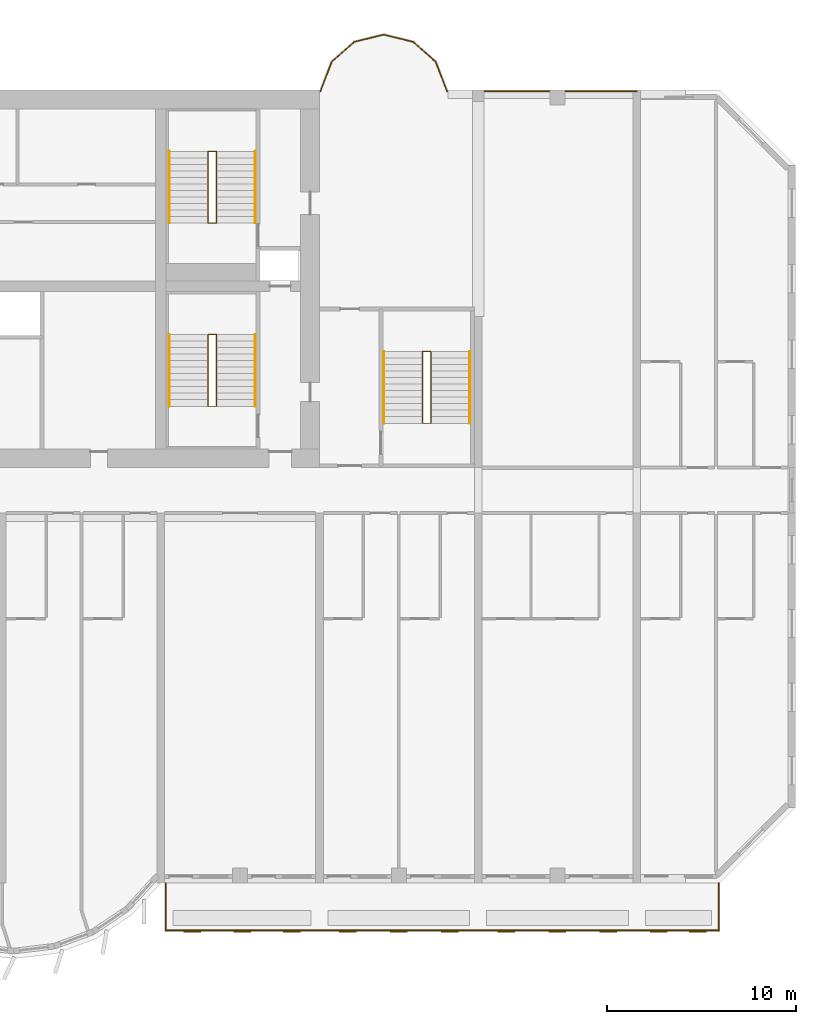
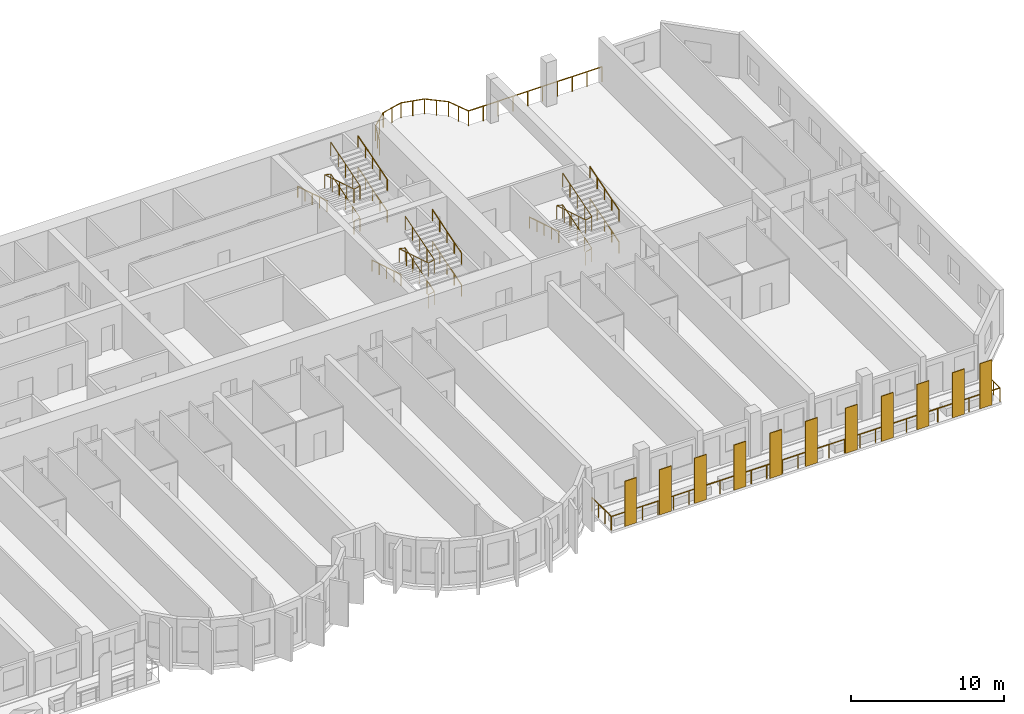
# One storey, part 13 of 14: 14 railings, 11 coverings.
"""IFC4 building model written with IfcOpenShell, lengths in metres."""

from ifc_helpers import new_model, si_unit, direction, frame, origin, origin_2d, place, context, subcontext, project, spatial, rectangle, circle, extrude, source, transform, mapped, material, layer, layer_set, type_object, element, save


model = new_model("IFC4")

# Units and contexts
model_context = context("Model", 3, precision=1e-05, world=origin(), true_north=direction((0.0, 1.0)))
body_context = subcontext(model_context, "Body", "Model", "MODEL_VIEW")
ifc_project = project(units=[si_unit("LENGTHUNIT", "METRE"), si_unit("AREAUNIT", "SQUARE_METRE"), si_unit("VOLUMEUNIT", "CUBIC_METRE"), si_unit("PLANEANGLEUNIT", "RADIAN"), si_unit("MASSUNIT", "GRAM", prefix="KILO")], contexts=[model_context])

# Site, building, storey
site_placement = place(None, origin())
site = spatial("IfcSite", under=ifc_project, at=site_placement, CompositionType="ELEMENT")
building_placement = place(site_placement, origin())
building = spatial("IfcBuilding", under=site, at=building_placement, Name="Vanashikhar Sky Hotel", CompositionType="ELEMENT")
storey_placement = place(building_placement, frame((0.0, 0.0, 73.39990234375)))
storey = spatial("IfcBuildingStorey", under=building, at=storey_placement, Name="L17", CompositionType="ELEMENT", Elevation=73.39990234375)

# Railing
ifc_material_1 = material(Name="Stainless steel 316", Category="steel")
railing_type_1 = type_object("IfcRailingType", Name="Balcony guard 1100", PredefinedType="GUARDRAIL", material=ifc_material_1)
shared_shape_1 = source(origin(), body_context, "Body", "SweptSolid", [
    extrude(circle(Radius=0.02392578125, at=origin_2d()), frame((0.0, 0.0, 1.076171875), z_axis=(0.0, -1.0, 0.0), x_axis=(1.0, 0.0, 0.0)), (0.0, 0.0, 1.0), 2.5),
    extrude(circle(Radius=0.02392578125, at=origin_2d()), frame((0.0, -2.5, 1.076171875), z_axis=(1.0, 0.0, 0.0), x_axis=(0.0, 1.0, 0.0)), (0.0, 0.0, 1.0), 29.280029296875),
    extrude(circle(Radius=0.02392578125, at=origin_2d()), frame((29.280029296875, -2.5, 1.076171875), z_axis=(0.0, 1.0, 0.0), x_axis=(-1.0, 0.0, 0.0)), (0.0, 0.0, 1.0), 2.5),
    extrude(circle(Radius=0.02099609375, at=origin_2d()), origin(), (0.0, 0.0, 1.0), 1.052001953125),
    extrude(circle(Radius=0.02099609375, at=origin_2d()), frame((0.0, -0.833251953125, 0.0)), (0.0, 0.0, 1.0), 1.052001953125),
    extrude(circle(Radius=0.02099609375, at=origin_2d()), frame((0.0, -1.666748046875, 0.0)), (0.0, 0.0, 1.0), 1.052001953125),
    extrude(circle(Radius=0.02099609375, at=origin_2d()), frame((0.0, -2.5, 0.0)), (0.0, 0.0, 1.0), 1.052001953125),
    extrude(circle(Radius=0.02099609375, at=origin_2d()), frame((1.171142578125, -2.5, 0.0)), (0.0, 0.0, 1.0), 1.052001953125),
    extrude(circle(Radius=0.02099609375, at=origin_2d()), frame((2.34228515625, -2.5, 0.0)), (0.0, 0.0, 1.0), 1.052001953125),
    extrude(circle(Radius=0.02099609375, at=origin_2d()), frame((3.513671875, -2.5, 0.0)), (0.0, 0.0, 1.0), 1.052001953125),
    extrude(circle(Radius=0.02099609375, at=origin_2d()), frame((4.684814453125, -2.5, 0.0)), (0.0, 0.0, 1.0), 1.052001953125),
    extrude(circle(Radius=0.02099609375, at=origin_2d()), frame((5.85595703125, -2.5, 0.0)), (0.0, 0.0, 1.0), 1.052001953125),
    extrude(circle(Radius=0.02099609375, at=origin_2d()), frame((7.027099609375, -2.5, 0.0)), (0.0, 0.0, 1.0), 1.052001953125),
    extrude(circle(Radius=0.02099609375, at=origin_2d()), frame((8.198486328125, -2.5, 0.0)), (0.0, 0.0, 1.0), 1.052001953125),
    extrude(circle(Radius=0.02099609375, at=origin_2d()), frame((9.36962890625, -2.5, 0.0)), (0.0, 0.0, 1.0), 1.052001953125),
    extrude(circle(Radius=0.02099609375, at=origin_2d()), frame((10.540771484375, -2.5, 0.0)), (0.0, 0.0, 1.0), 1.052001953125),
    extrude(circle(Radius=0.02099609375, at=origin_2d()), frame((11.7119140625, -2.5, 0.0)), (0.0, 0.0, 1.0), 1.052001953125),
    extrude(circle(Radius=0.02099609375, at=origin_2d()), frame((12.88330078125, -2.5, 0.0)), (0.0, 0.0, 1.0), 1.052001953125),
    extrude(circle(Radius=0.02099609375, at=origin_2d()), frame((14.054443359375, -2.5, 0.0)), (0.0, 0.0, 1.0), 1.052001953125),
    extrude(circle(Radius=0.02099609375, at=origin_2d()), frame((15.2255859375, -2.5, 0.0)), (0.0, 0.0, 1.0), 1.052001953125),
    extrude(circle(Radius=0.02099609375, at=origin_2d()), frame((16.396728515625, -2.5, 0.0)), (0.0, 0.0, 1.0), 1.052001953125),
    extrude(circle(Radius=0.02099609375, at=origin_2d()), frame((17.568115234375, -2.5, 0.0)), (0.0, 0.0, 1.0), 1.052001953125),
    extrude(circle(Radius=0.02099609375, at=origin_2d()), frame((18.7392578125, -2.5, 0.0)), (0.0, 0.0, 1.0), 1.052001953125),
    extrude(circle(Radius=0.02099609375, at=origin_2d()), frame((19.910400390625, -2.5, 0.0)), (0.0, 0.0, 1.0), 1.052001953125),
    extrude(circle(Radius=0.02099609375, at=origin_2d()), frame((21.08154296875, -2.5, 0.0)), (0.0, 0.0, 1.0), 1.052001953125),
    extrude(circle(Radius=0.02099609375, at=origin_2d()), frame((22.2529296875, -2.5, 0.0)), (0.0, 0.0, 1.0), 1.052001953125),
    extrude(circle(Radius=0.02099609375, at=origin_2d()), frame((23.424072265625, -2.5, 0.0)), (0.0, 0.0, 1.0), 1.052001953125),
    extrude(circle(Radius=0.02099609375, at=origin_2d()), frame((24.59521484375, -2.5, 0.0)), (0.0, 0.0, 1.0), 1.052001953125),
    extrude(circle(Radius=0.02099609375, at=origin_2d()), frame((25.766357421875, -2.5, 0.0)), (0.0, 0.0, 1.0), 1.052001953125),
    extrude(circle(Radius=0.02099609375, at=origin_2d()), frame((26.937744140625, -2.5, 0.0)), (0.0, 0.0, 1.0), 1.052001953125),
    extrude(circle(Radius=0.02099609375, at=origin_2d()), frame((28.10888671875, -2.5, 0.0)), (0.0, 0.0, 1.0), 1.052001953125),
    extrude(circle(Radius=0.02099609375, at=origin_2d()), frame((29.280029296875, -2.5, 0.0)), (0.0, 0.0, 1.0), 1.052001953125),
    extrude(circle(Radius=0.02099609375, at=origin_2d()), frame((29.280029296875, -1.666748046875, 0.0)), (0.0, 0.0, 1.0), 1.052001953125),
    extrude(circle(Radius=0.02099609375, at=origin_2d()), frame((29.280029296875, -0.833251953125, 0.0)), (0.0, 0.0, 1.0), 1.052001953125),
    extrude(circle(Radius=0.02099609375, at=origin_2d()), frame((29.280029296875, 0.0, 0.0)), (0.0, 0.0, 1.0), 1.052001953125),
])
railing_1_placement = place(storey_placement, frame((67.4599609375, 0.0, -0.0498046875)))
element("IfcRailing", 1, at=railing_1_placement, inside=storey, type_object=railing_type_1, Name="Balcony guard", PredefinedType="GUARDRAIL", context=body_context, shape_type="MappedRepresentation", body=[
    mapped(shared_shape_1, transform((0.0, 0.0, 0.0), scale=1.0)),
])

# Coverings
ifc_material_2 = material(Name="Terracotta", Category="masonry")
ifc_layer = layer(ifc_material_2, 0.06005859375)
ifc_layer_set = layer_set([ifc_layer], Name="Terracotta baguette screen")
covering_type = type_object("IfcCoveringType", Name="Terracotta baguette screen", PredefinedType="CLADDING", material=ifc_layer_set)
shared_shape_2 = source(origin(), body_context, "Body", "SweptSolid", [
    extrude(rectangle(XDim=0.89990234375, YDim=0.06005859375, at=origin_2d()), origin(), (0.0, 0.0, 1.0), 3.60009765625),
])
for number, where, z_axis, x_axis, name in (
    (2, (68.86669921875, -2.570068359375, -0.050048828125), (0.0, 0.0, 1.0), (1.0, 0.0, 0.0), "Terracotta screen"),
    (3, (71.5, -2.570068359375, -0.050048828125), (0.0, 0.0, 1.0), (1.0, 0.0, 0.0), "Terracotta screen"),
    (4, (74.13330078125, -2.570068359375, -0.050048828125), (0.0, 0.0, 1.0), (1.0, 0.0, 0.0), "Terracotta screen"),
    (5, (77.10009765625, -2.570068359375, -0.050048828125), (0.0, 0.0, 1.0), (1.0, 0.0, 0.0), "Terracotta screen"),
    (6, (79.800048828125, -2.570068359375, -0.050048828125), (0.0, 0.0, 1.0), (1.0, 0.0, 0.0), "Terracotta screen"),
    (7, (82.5, -2.570068359375, -0.050048828125), (0.0, 0.0, 1.0), (1.0, 0.0, 0.0), "Terracotta screen"),
    (8, (85.5, -2.570068359375, -0.050048828125), (0.0, 0.0, 1.0), (1.0, 0.0, 0.0), "Terracotta screen"),
    (9, (88.199951171875, -2.570068359375, -0.050048828125), (0.0, 0.0, 1.0), (1.0, 0.0, 0.0), "Terracotta screen"),
    (10, (90.89990234375, -2.570068359375, -0.050048828125), (0.0, 0.0, 1.0), (1.0, 0.0, 0.0), "Terracotta screen"),
    (11, (93.574951171875, -2.570068359375, -0.050048828125), (0.0, 0.0, 1.0), (1.0, 0.0, 0.0), "Terracotta screen"),
    (12, (95.625, -2.570068359375, -0.050048828125), (0.0, 0.0, 1.0), (1.0, 0.0, 0.0), "Terracotta screen"),
):
    element("IfcCovering", number, at=place(storey_placement, frame(where, z_axis=z_axis, x_axis=x_axis)), inside=storey, type_object=covering_type, Name=name, PredefinedType="CLADDING", context=body_context, shape_type="MappedRepresentation", body=[
        mapped(shared_shape_2, transform((0.0, 0.0, 0.0), scale=1.0)),
    ])

# Railings
railing_type_2 = type_object("IfcRailingType", Name="Refuge terrace guard 1200", PredefinedType="GUARDRAIL", material=ifc_material_1)
shared_shape_3 = source(origin(), body_context, "Body", "SweptSolid", [
    extrude(circle(Radius=0.02392578125, at=origin_2d()), frame((0.0, 0.0, 1.17578125), z_axis=(-1.0, 0.0, 0.0), x_axis=(0.0, -1.0, 0.0)), (0.0, 0.0, 1.0), 10.048095703125),
    extrude(circle(Radius=0.02392578125, at=origin_2d()), frame((-10.048095703125, 0.0, 1.17578125), z_axis=(-0.357682612009, 0.933843214392, 0.0), x_axis=(-0.933843214392, -0.357682612009, 0.0)), (0.0, 0.0, 1.0), 1.666015625),
    extrude(circle(Radius=0.02392578125, at=origin_2d()), frame((-10.64404296875, 1.555908203125, 1.17578125), z_axis=(-0.749699987355, 0.661777854692, 0.0), x_axis=(-0.661777854692, -0.749699987355, 0.0)), (0.0, 0.0, 1.0), 1.602294921875),
    extrude(circle(Radius=0.02392578125, at=origin_2d()), frame((-11.84521484375, 2.6162109375, 1.17578125), z_axis=(-0.971138901218, 0.238514642196, 0.0), x_axis=(-0.238514642196, -0.971138901218, 0.0)), (0.0, 0.0, 1.0), 1.600830078125),
    extrude(circle(Radius=0.02392578125, at=origin_2d()), frame((-13.39990234375, 2.998046875, 1.17578125), z_axis=(-0.971138901218, -0.238514642196, 0.0), x_axis=(0.238514642196, -0.971138901218, 0.0)), (0.0, 0.0, 1.0), 1.600830078125),
    extrude(circle(Radius=0.02392578125, at=origin_2d()), frame((-14.95458984375, 2.6162109375, 1.17578125), z_axis=(-0.749699987355, -0.661777854692, 0.0), x_axis=(0.661777854692, -0.749699987355, 0.0)), (0.0, 0.0, 1.0), 1.602294921875),
    extrude(circle(Radius=0.02392578125, at=origin_2d()), frame((-16.15576171875, 1.555908203125, 1.17578125), z_axis=(-0.357682612009, -0.933843214392, 0.0), x_axis=(0.933843214392, -0.357682612009, 0.0)), (0.0, 0.0, 1.0), 1.666015625),
    extrude(circle(Radius=0.02099609375, at=origin_2d()), origin(), (0.0, 0.0, 1.0), 1.15185546875),
    extrude(circle(Radius=0.02099609375, at=origin_2d()), frame((-1.116455078125, 0.0, 0.0)), (0.0, 0.0, 1.0), 1.15185546875),
    extrude(circle(Radius=0.02099609375, at=origin_2d()), frame((-2.23291015625, 0.0, 0.0)), (0.0, 0.0, 1.0), 1.15185546875),
    extrude(circle(Radius=0.02099609375, at=origin_2d()), frame((-3.349365234375, 0.0, 0.0)), (0.0, 0.0, 1.0), 1.15185546875),
    extrude(circle(Radius=0.02099609375, at=origin_2d()), frame((-4.4658203125, 0.0, 0.0)), (0.0, 0.0, 1.0), 1.15185546875),
    extrude(circle(Radius=0.02099609375, at=origin_2d()), frame((-5.582275390625, 0.0, 0.0)), (0.0, 0.0, 1.0), 1.15185546875),
    extrude(circle(Radius=0.02099609375, at=origin_2d()), frame((-6.69873046875, 0.0, 0.0)), (0.0, 0.0, 1.0), 1.15185546875),
    extrude(circle(Radius=0.02099609375, at=origin_2d()), frame((-7.815185546875, 0.0, 0.0)), (0.0, 0.0, 1.0), 1.15185546875),
    extrude(circle(Radius=0.02099609375, at=origin_2d()), frame((-8.931640625, 0.0, 0.0)), (0.0, 0.0, 1.0), 1.15185546875),
    extrude(circle(Radius=0.02099609375, at=origin_2d()), frame((-10.048095703125, 0.0, 0.0)), (0.0, 0.0, 1.0), 1.15185546875),
    extrude(circle(Radius=0.02099609375, at=origin_2d()), frame((-10.34619140625, 0.77783203125, 0.0)), (0.0, 0.0, 1.0), 1.15185546875),
    extrude(circle(Radius=0.02099609375, at=origin_2d()), frame((-10.64404296875, 1.555908203125, 0.0)), (0.0, 0.0, 1.0), 1.15185546875),
    extrude(circle(Radius=0.02099609375, at=origin_2d()), frame((-11.24462890625, 2.0859375, 0.0)), (0.0, 0.0, 1.0), 1.15185546875),
    extrude(circle(Radius=0.02099609375, at=origin_2d()), frame((-11.84521484375, 2.6162109375, 0.0)), (0.0, 0.0, 1.0), 1.15185546875),
    extrude(circle(Radius=0.02099609375, at=origin_2d()), frame((-12.62255859375, 2.80712890625, 0.0)), (0.0, 0.0, 1.0), 1.15185546875),
    extrude(circle(Radius=0.02099609375, at=origin_2d()), frame((-13.39990234375, 2.998046875, 0.0)), (0.0, 0.0, 1.0), 1.15185546875),
    extrude(circle(Radius=0.02099609375, at=origin_2d()), frame((-14.17724609375, 2.80712890625, 0.0)), (0.0, 0.0, 1.0), 1.15185546875),
    extrude(circle(Radius=0.02099609375, at=origin_2d()), frame((-14.95458984375, 2.6162109375, 0.0)), (0.0, 0.0, 1.0), 1.15185546875),
    extrude(circle(Radius=0.02099609375, at=origin_2d()), frame((-15.55517578125, 2.0859375, 0.0)), (0.0, 0.0, 1.0), 1.15185546875),
    extrude(circle(Radius=0.02099609375, at=origin_2d()), frame((-16.15576171875, 1.555908203125, 0.0)), (0.0, 0.0, 1.0), 1.15185546875),
    extrude(circle(Radius=0.02099609375, at=origin_2d()), frame((-16.45361328125, 0.77783203125, 0.0)), (0.0, 0.0, 1.0), 1.15185546875),
    extrude(circle(Radius=0.02099609375, at=origin_2d()), frame((-16.751708984375, 0.0, 0.0)), (0.0, 0.0, 1.0), 1.15185546875),
])
railing_2_placement = place(storey_placement, frame((92.39990234375, 41.929931640625, 0.0)))
element("IfcRailing", 13, at=railing_2_placement, inside=storey, type_object=railing_type_2, Name="Refuge terrace guard", PredefinedType="GUARDRAIL", context=body_context, shape_type="MappedRepresentation", body=[
    mapped(shared_shape_3, transform((0.0, 0.0, 0.0), scale=1.0)),
])
ifc_material_3 = material(Name="Steel S355", Category="steel")
railing_type_3 = type_object("IfcRailingType", Name="Stair handrail 900", PredefinedType="HANDRAIL", material=ifc_material_3)
shared_shape_4 = source(origin(), body_context, "Body", "SweptSolid", [
    extrude(circle(Radius=0.02392578125, at=origin_2d()), frame((0.0, 0.0, 0.8759765625), z_axis=(0.0, 0.95635109408, 0.292220096591), x_axis=(-1.0, 0.0, 0.0)), (0.0, 0.0, 1.0), 3.973388671875),
    extrude(circle(Radius=0.02099609375, at=origin_2d()), origin(), (0.0, 0.0, 1.0), 0.851806640625),
    extrude(circle(Radius=0.02099609375, at=origin_2d()), frame((0.0, 0.949951171875, 0.290283203125)), (0.0, 0.0, 1.0), 0.851806640625),
    extrude(circle(Radius=0.02099609375, at=origin_2d()), frame((0.0, 1.89990234375, 0.58056640625)), (0.0, 0.0, 1.0), 0.851806640625),
    extrude(circle(Radius=0.02099609375, at=origin_2d()), frame((0.0, 2.85009765625, 0.870849609375)), (0.0, 0.0, 1.0), 0.851806640625),
    extrude(circle(Radius=0.02099609375, at=origin_2d()), frame((0.0, 3.800048828125, 1.1611328125)), (0.0, 0.0, 1.0), 0.851806640625),
])
for number, where, name in (
    (14, (72.199951171875, 25.25, 0.105712890625), "Exit stair 2 handrail"),
    (15, (72.199951171875, 25.25, 2.638916015625), "Exit stair 2 handrail"),
    (16, (72.199951171875, 34.949951171875, 0.105712890625), "Exit stair 6 handrail"),
    (17, (72.199951171875, 34.949951171875, 2.638916015625), "Exit stair 6 handrail"),
):
    element("IfcRailing", number, at=place(storey_placement, frame(where)), inside=storey, type_object=railing_type_3, Name=name, PredefinedType="HANDRAIL", context=body_context, shape_type="MappedRepresentation", body=[
        mapped(shared_shape_4, transform((0.0, 0.0, 0.0), scale=1.0)),
    ])
shared_shape_5 = source(origin(), body_context, "Body", "SweptSolid", [
    extrude(circle(Radius=0.02392578125, at=origin_2d()), frame((0.0, 0.0, 0.8759765625), z_axis=(0.0, -0.95635109408, 0.292220096591), x_axis=(1.0, 0.0, 0.0)), (0.0, 0.0, 1.0), 3.973388671875),
    extrude(circle(Radius=0.02099609375, at=origin_2d()), origin(), (0.0, 0.0, 1.0), 0.851806640625),
    extrude(circle(Radius=0.02099609375, at=origin_2d()), frame((0.0, -0.949951171875, 0.290283203125)), (0.0, 0.0, 1.0), 0.851806640625),
    extrude(circle(Radius=0.02099609375, at=origin_2d()), frame((0.0, -1.89990234375, 0.58056640625)), (0.0, 0.0, 1.0), 0.851806640625),
    extrude(circle(Radius=0.02099609375, at=origin_2d()), frame((0.0, -2.85009765625, 0.870849609375)), (0.0, 0.0, 1.0), 0.851806640625),
    extrude(circle(Radius=0.02099609375, at=origin_2d()), frame((0.0, -3.800048828125, 1.1611328125)), (0.0, 0.0, 1.0), 0.851806640625),
])
for number, where, name in (
    (18, (67.64990234375, 29.050048828125, 1.372314453125), "Exit stair 2 handrail"),
    (19, (67.64990234375, 38.75, 1.372314453125), "Exit stair 6 handrail"),
):
    element("IfcRailing", number, at=place(storey_placement, frame(where)), inside=storey, type_object=railing_type_3, Name=name, PredefinedType="HANDRAIL", context=body_context, shape_type="MappedRepresentation", body=[
        mapped(shared_shape_5, transform((0.0, 0.0, 0.0), scale=1.0)),
    ])
railing_type_4 = type_object("IfcRailingType", Name="Stair guard 1100", PredefinedType="GUARDRAIL", material=ifc_material_3)
shared_shape_6 = source(origin(), body_context, "Body", "SweptSolid", [
    extrude(circle(Radius=0.02392578125, at=origin_2d()), frame((0.0, 0.0, 1.076171875), z_axis=(0.973493315427, 0.0, 0.228715466945), x_axis=(0.0, 1.0, 0.0)), (0.0, 0.0, 1.0), 0.462158203125),
    extrude(circle(Radius=0.02392578125, at=origin_2d()), frame((0.449951171875, 0.0, 1.181640625), z_axis=(0.0, 0.95635109408, 0.292220096591), x_axis=(-1.0, 0.0, 0.0)), (0.0, 0.0, 1.0), 3.973388671875),
    extrude(circle(Radius=0.02392578125, at=origin_2d()), frame((0.449951171875, 3.800048828125, 2.3427734375), z_axis=(-0.973610808694, 0.0, 0.228214796178), x_axis=(0.0, -1.0, 0.0)), (0.0, 0.0, 1.0), 0.462158203125),
    extrude(circle(Radius=0.02392578125, at=origin_2d()), frame((0.0, 3.800048828125, 2.4482421875), z_axis=(0.0, -0.95635109408, 0.292220096591), x_axis=(1.0, 0.0, 0.0)), (0.0, 0.0, 1.0), 3.973388671875),
    extrude(circle(Radius=0.02392578125, at=origin_2d()), frame((0.0, 0.0, 3.609375), z_axis=(0.973610808694, 0.0, 0.228214796178), x_axis=(0.0, 1.0, 0.0)), (0.0, 0.0, 1.0), 0.462158203125),
    extrude(circle(Radius=0.02392578125, at=origin_2d()), frame((0.449951171875, 0.0, 3.71484375), z_axis=(0.0, 0.95635109408, 0.292220096591), x_axis=(-1.0, 0.0, 0.0)), (0.0, 0.0, 1.0), 3.973388671875),
    extrude(circle(Radius=0.02099609375, at=origin_2d()), origin(), (0.0, 0.0, 1.0), 1.052001953125),
    extrude(circle(Radius=0.02099609375, at=origin_2d()), frame((0.449951171875, 0.0, 0.105712890625)), (0.0, 0.0, 1.0), 1.052001953125),
    extrude(circle(Radius=0.02099609375, at=origin_2d()), frame((0.449951171875, 0.949951171875, 0.39599609375)), (0.0, 0.0, 1.0), 1.052001953125),
    extrude(circle(Radius=0.02099609375, at=origin_2d()), frame((0.449951171875, 1.89990234375, 0.686279296875)), (0.0, 0.0, 1.0), 1.052001953125),
    extrude(circle(Radius=0.02099609375, at=origin_2d()), frame((0.449951171875, 2.85009765625, 0.9765625)), (0.0, 0.0, 1.0), 1.052001953125),
    extrude(circle(Radius=0.02099609375, at=origin_2d()), frame((0.449951171875, 3.800048828125, 1.266845703125)), (0.0, 0.0, 1.0), 1.052001953125),
    extrude(circle(Radius=0.02099609375, at=origin_2d()), frame((0.0, 3.800048828125, 1.372314453125)), (0.0, 0.0, 1.0), 1.052001953125),
    extrude(circle(Radius=0.02099609375, at=origin_2d()), frame((0.0, 2.85009765625, 1.66259765625)), (0.0, 0.0, 1.0), 1.052001953125),
    extrude(circle(Radius=0.02099609375, at=origin_2d()), frame((0.0, 1.89990234375, 1.952880859375)), (0.0, 0.0, 1.0), 1.052001953125),
    extrude(circle(Radius=0.02099609375, at=origin_2d()), frame((0.0, 0.949951171875, 2.2431640625)), (0.0, 0.0, 1.0), 1.052001953125),
    extrude(circle(Radius=0.02099609375, at=origin_2d()), frame((0.0, 0.0, 2.533447265625)), (0.0, 0.0, 1.0), 1.052001953125),
    extrude(circle(Radius=0.02099609375, at=origin_2d()), frame((0.449951171875, 0.0, 2.638916015625)), (0.0, 0.0, 1.0), 1.052001953125),
    extrude(circle(Radius=0.02099609375, at=origin_2d()), frame((0.449951171875, 0.949951171875, 2.92919921875)), (0.0, 0.0, 1.0), 1.052001953125),
    extrude(circle(Radius=0.02099609375, at=origin_2d()), frame((0.449951171875, 1.89990234375, 3.219482421875)), (0.0, 0.0, 1.0), 1.052001953125),
    extrude(circle(Radius=0.02099609375, at=origin_2d()), frame((0.449951171875, 2.85009765625, 3.509765625)), (0.0, 0.0, 1.0), 1.052001953125),
    extrude(circle(Radius=0.02099609375, at=origin_2d()), frame((0.449951171875, 3.800048828125, 3.800048828125)), (0.0, 0.0, 1.0), 1.052001953125),
])
for number, where, name in (
    (20, (69.699951171875, 25.25, 0.0), "Exit stair 2 guard"),
    (21, (69.699951171875, 34.949951171875, 0.0), "Exit stair 6 guard"),
):
    element("IfcRailing", number, at=place(storey_placement, frame(where)), inside=storey, type_object=railing_type_4, Name=name, PredefinedType="GUARDRAIL", context=body_context, shape_type="MappedRepresentation", body=[
        mapped(shared_shape_6, transform((0.0, 0.0, 0.0), scale=1.0)),
    ])
shared_shape_7 = source(origin(), body_context, "Body", "SweptSolid", [
    extrude(circle(Radius=0.02392578125, at=origin_2d()), frame((0.0, 0.0, 0.8759765625), z_axis=(0.0, 0.956345846891, 0.292237268557), x_axis=(-1.0, 0.0, 0.0)), (0.0, 0.0, 1.0), 3.97314453125),
    extrude(circle(Radius=0.02099609375, at=origin_2d()), origin(), (0.0, 0.0, 1.0), 0.851806640625),
    extrude(circle(Radius=0.02099609375, at=origin_2d()), frame((0.0, 0.949951171875, 0.290283203125)), (0.0, 0.0, 1.0), 0.851806640625),
    extrude(circle(Radius=0.02099609375, at=origin_2d()), frame((0.0, 1.89990234375, 0.58056640625)), (0.0, 0.0, 1.0), 0.851806640625),
    extrude(circle(Radius=0.02099609375, at=origin_2d()), frame((0.0, 2.849853515625, 0.870849609375)), (0.0, 0.0, 1.0), 0.851806640625),
    extrude(circle(Radius=0.02099609375, at=origin_2d()), frame((0.0, 3.7998046875, 1.1611328125)), (0.0, 0.0, 1.0), 0.851806640625),
])
for number, where, name in (
    (22, (83.550048828125, 24.35009765625, 0.105712890625), "Exit stair 4 handrail"),
    (23, (83.550048828125, 24.35009765625, 2.638916015625), "Exit stair 4 handrail"),
):
    element("IfcRailing", number, at=place(storey_placement, frame(where)), inside=storey, type_object=railing_type_3, Name=name, PredefinedType="HANDRAIL", context=body_context, shape_type="MappedRepresentation", body=[
        mapped(shared_shape_7, transform((0.0, 0.0, 0.0), scale=1.0)),
    ])
shared_shape_8 = source(origin(), body_context, "Body", "SweptSolid", [
    extrude(circle(Radius=0.02392578125, at=origin_2d()), frame((0.0, 0.0, 0.8759765625), z_axis=(0.0, -0.956345846891, 0.292237268557), x_axis=(1.0, 0.0, 0.0)), (0.0, 0.0, 1.0), 3.97314453125),
    extrude(circle(Radius=0.02099609375, at=origin_2d()), origin(), (0.0, 0.0, 1.0), 0.851806640625),
    extrude(circle(Radius=0.02099609375, at=origin_2d()), frame((0.0, -0.949951171875, 0.290283203125)), (0.0, 0.0, 1.0), 0.851806640625),
    extrude(circle(Radius=0.02099609375, at=origin_2d()), frame((0.0, -1.89990234375, 0.58056640625)), (0.0, 0.0, 1.0), 0.851806640625),
    extrude(circle(Radius=0.02099609375, at=origin_2d()), frame((0.0, -2.849853515625, 0.870849609375)), (0.0, 0.0, 1.0), 0.851806640625),
    extrude(circle(Radius=0.02099609375, at=origin_2d()), frame((0.0, -3.7998046875, 1.1611328125)), (0.0, 0.0, 1.0), 0.851806640625),
])
railing_3_placement = place(storey_placement, frame((79.0, 28.14990234375, 1.372314453125)))
element("IfcRailing", 24, at=railing_3_placement, inside=storey, type_object=railing_type_3, Name="Exit stair 4 handrail", PredefinedType="HANDRAIL", context=body_context, shape_type="MappedRepresentation", body=[
    mapped(shared_shape_8, transform((0.0, 0.0, 0.0), scale=1.0)),
])
shared_shape_9 = source(origin(), body_context, "Body", "SweptSolid", [
    extrude(circle(Radius=0.02392578125, at=origin_2d()), frame((0.0, 0.0, 1.076171875), z_axis=(0.973493315427, 0.0, 0.228715466945), x_axis=(0.0, 1.0, 0.0)), (0.0, 0.0, 1.0), 0.462158203125),
    extrude(circle(Radius=0.02392578125, at=origin_2d()), frame((0.449951171875, 0.0, 1.181640625), z_axis=(0.0, 0.956345846891, 0.292237268557), x_axis=(-1.0, 0.0, 0.0)), (0.0, 0.0, 1.0), 3.97314453125),
    extrude(circle(Radius=0.02392578125, at=origin_2d()), frame((0.449951171875, 3.7998046875, 2.3427734375), z_axis=(-0.973610808694, 0.0, 0.228214796178), x_axis=(0.0, -1.0, 0.0)), (0.0, 0.0, 1.0), 0.462158203125),
    extrude(circle(Radius=0.02392578125, at=origin_2d()), frame((0.0, 3.7998046875, 2.4482421875), z_axis=(0.0, -0.956345846891, 0.292237268557), x_axis=(1.0, 0.0, 0.0)), (0.0, 0.0, 1.0), 3.97314453125),
    extrude(circle(Radius=0.02392578125, at=origin_2d()), frame((0.0, 0.0, 3.609375), z_axis=(0.973610808694, 0.0, 0.228214796178), x_axis=(0.0, 1.0, 0.0)), (0.0, 0.0, 1.0), 0.462158203125),
    extrude(circle(Radius=0.02392578125, at=origin_2d()), frame((0.449951171875, 0.0, 3.71484375), z_axis=(0.0, 0.956345846891, 0.292237268557), x_axis=(-1.0, 0.0, 0.0)), (0.0, 0.0, 1.0), 3.97314453125),
    extrude(circle(Radius=0.02099609375, at=origin_2d()), origin(), (0.0, 0.0, 1.0), 1.052001953125),
    extrude(circle(Radius=0.02099609375, at=origin_2d()), frame((0.449951171875, 0.0, 0.105712890625)), (0.0, 0.0, 1.0), 1.052001953125),
    extrude(circle(Radius=0.02099609375, at=origin_2d()), frame((0.449951171875, 0.949951171875, 0.39599609375)), (0.0, 0.0, 1.0), 1.052001953125),
    extrude(circle(Radius=0.02099609375, at=origin_2d()), frame((0.449951171875, 1.89990234375, 0.686279296875)), (0.0, 0.0, 1.0), 1.052001953125),
    extrude(circle(Radius=0.02099609375, at=origin_2d()), frame((0.449951171875, 2.849853515625, 0.9765625)), (0.0, 0.0, 1.0), 1.052001953125),
    extrude(circle(Radius=0.02099609375, at=origin_2d()), frame((0.449951171875, 3.7998046875, 1.266845703125)), (0.0, 0.0, 1.0), 1.052001953125),
    extrude(circle(Radius=0.02099609375, at=origin_2d()), frame((0.0, 3.7998046875, 1.372314453125)), (0.0, 0.0, 1.0), 1.052001953125),
    extrude(circle(Radius=0.02099609375, at=origin_2d()), frame((0.0, 2.849853515625, 1.66259765625)), (0.0, 0.0, 1.0), 1.052001953125),
    extrude(circle(Radius=0.02099609375, at=origin_2d()), frame((0.0, 1.89990234375, 1.952880859375)), (0.0, 0.0, 1.0), 1.052001953125),
    extrude(circle(Radius=0.02099609375, at=origin_2d()), frame((0.0, 0.949951171875, 2.2431640625)), (0.0, 0.0, 1.0), 1.052001953125),
    extrude(circle(Radius=0.02099609375, at=origin_2d()), frame((0.0, 0.0, 2.533447265625)), (0.0, 0.0, 1.0), 1.052001953125),
    extrude(circle(Radius=0.02099609375, at=origin_2d()), frame((0.449951171875, 0.0, 2.638916015625)), (0.0, 0.0, 1.0), 1.052001953125),
    extrude(circle(Radius=0.02099609375, at=origin_2d()), frame((0.449951171875, 0.949951171875, 2.92919921875)), (0.0, 0.0, 1.0), 1.052001953125),
    extrude(circle(Radius=0.02099609375, at=origin_2d()), frame((0.449951171875, 1.89990234375, 3.219482421875)), (0.0, 0.0, 1.0), 1.052001953125),
    extrude(circle(Radius=0.02099609375, at=origin_2d()), frame((0.449951171875, 2.849853515625, 3.509765625)), (0.0, 0.0, 1.0), 1.052001953125),
    extrude(circle(Radius=0.02099609375, at=origin_2d()), frame((0.449951171875, 3.7998046875, 3.800048828125)), (0.0, 0.0, 1.0), 1.052001953125),
])
railing_4_placement = place(storey_placement, frame((81.050048828125, 24.35009765625, 0.0)))
element("IfcRailing", 25, at=railing_4_placement, inside=storey, type_object=railing_type_4, Name="Exit stair 4 guard", PredefinedType="GUARDRAIL", context=body_context, shape_type="MappedRepresentation", body=[
    mapped(shared_shape_9, transform((0.0, 0.0, 0.0), scale=1.0)),
])

save(model, "model.ifc")
